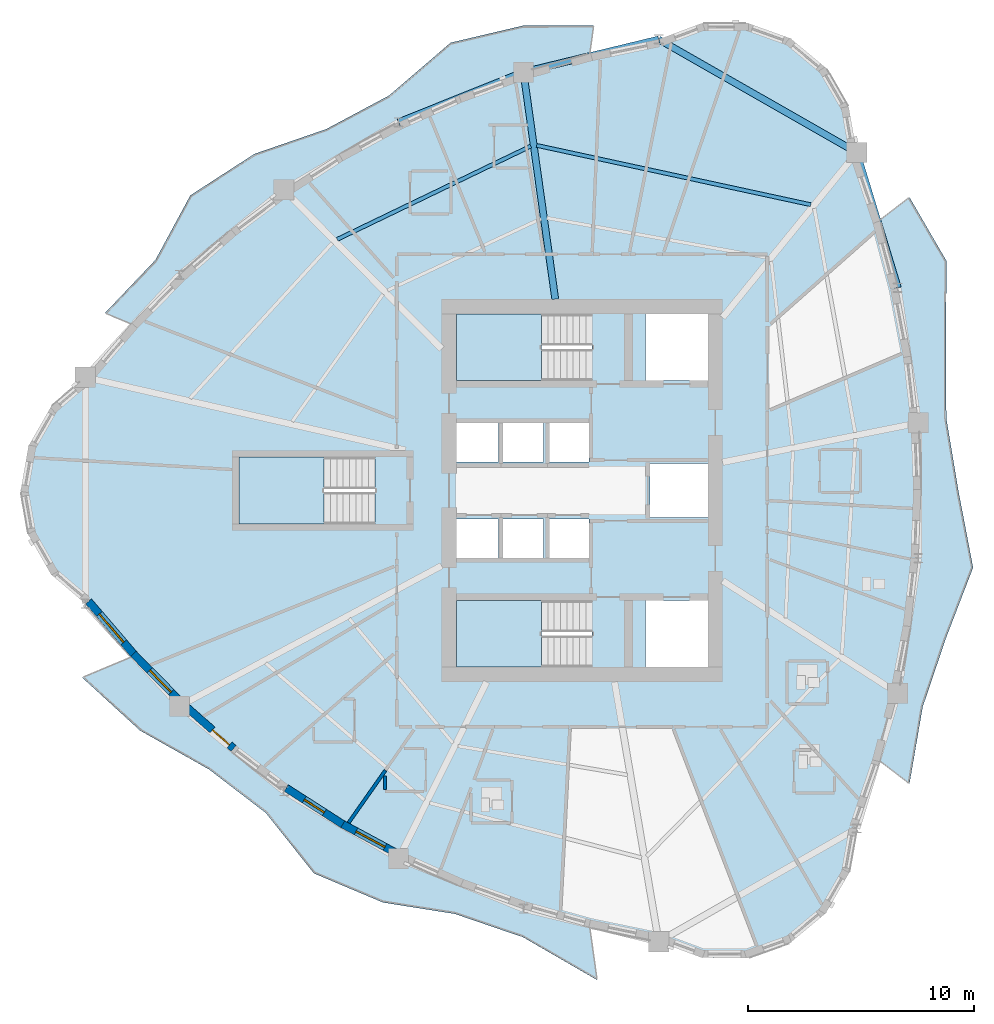
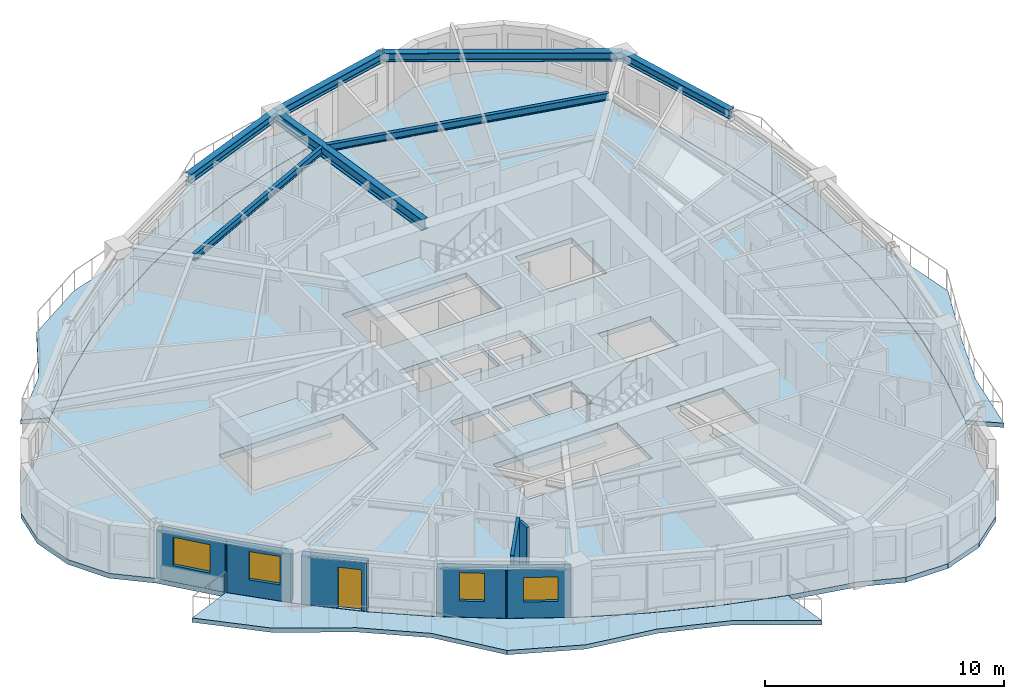
# One storey, part 2 of 13: 7 beams, 7 slabs, 7 walls, 4 windows, 1 door, 5 openings, 3 elements without a shape of their own.
"""IFC4 building model written with IfcOpenShell, lengths in metres."""

from ifc_helpers import new_model, si_unit, direction, frame, frame_2d, origin, origin_2d, place, context, subcontext, project, spatial, polyline, rectangle, i_section, outline, extrude, source, transform, mapped, material, layer, layer_set, material_profile, profile_set, type_object, element, fill, aggregate, save


model = new_model("IFC4")

# Units and contexts
model_context = context("Model", 3, precision=1e-05, world=origin(), true_north=direction((0.0, 1.0)))
body_context = subcontext(model_context, "Body", "Model", "MODEL_VIEW")
ifc_project = project(units=[si_unit("LENGTHUNIT", "METRE"), si_unit("AREAUNIT", "SQUARE_METRE"), si_unit("VOLUMEUNIT", "CUBIC_METRE"), si_unit("PLANEANGLEUNIT", "RADIAN"), si_unit("MASSUNIT", "GRAM", prefix="KILO")], contexts=[model_context])

# Site, building, storey
site_placement = place(None, origin())
site = spatial("IfcSite", under=ifc_project, at=site_placement, CompositionType="ELEMENT")
building_placement = place(site_placement, origin())
building = spatial("IfcBuilding", under=site, at=building_placement, Name="Qafzar Sky-Pleat Residences", CompositionType="ELEMENT")
storey_placement = place(building_placement, frame((0.0, 0.0, 99.199951171875)))
storey = spatial("IfcBuildingStorey", under=building, at=storey_placement, Name="L29", CompositionType="ELEMENT", Elevation=99.199951171875)

# Beams
ifc_material_1 = material(Name="Steel S355", Category="steel")
ifc_material_profile_1 = material_profile(ifc_material_1, i_section(OverallWidth=0.300048828125, OverallDepth=0.449951171875, WebThickness=0.013916015625, FlangeThickness=0.02587890625, FilletRadius=0.027099609375, at=origin_2d()), Name="HEB 450")
ifc_profile_set_1 = profile_set([ifc_material_profile_1], Name="Steel S355")
beam_type_1 = type_object("IfcBeamType", Name="BM-SPAN-HEB450", PredefinedType="SPANDREL", material=ifc_profile_set_1)
shared_shape_1 = source(origin(), body_context, "Body", "SweptSolid", [
    extrude(i_section(OverallWidth=0.300048828125, OverallDepth=0.449951171875, WebThickness=0.013916015625, FlangeThickness=0.02587890625, FilletRadius=0.027099609375, at=origin_2d()), origin(), (0.0, 0.0, 1.0), 5.9443359375),
])
beam_1_placement = place(storey_placement, frame((27.761962890625, 44.473876953125, 2.72314453125), z_axis=(-0.927974486614, -0.372643733604, 0.0), x_axis=(0.372643733604, -0.927974486614, 0.0)))
element("IfcBeam", 1, at=beam_1_placement, inside=storey, type_object=beam_type_1, Name="L29 Perimeter Spandrel Beam 15", PredefinedType="SPANDREL", context=body_context, shape_type="MappedRepresentation", body=[
    mapped(shared_shape_1, transform((0.0, 0.0, 0.0), x_axis=(1.0, 0.0, 0.0), y_axis=(0.0, 1.0, 0.0), z_axis=(0.0, 0.0, 1.0), scale=1.0)),
])
shared_shape_2 = source(origin(), body_context, "Body", "SweptSolid", [
    extrude(i_section(OverallWidth=0.300048828125, OverallDepth=0.449951171875, WebThickness=0.013916015625, FlangeThickness=0.02587890625, FilletRadius=0.027099609375, at=origin_2d()), origin(), (0.0, 0.0, 1.0), 6.142333984375),
])
beam_2_placement = place(storey_placement, frame((33.731689453125, 45.919677734375, 2.72314453125), z_axis=(-0.971902480603, -0.235383874126, 0.0), x_axis=(0.235383874126, -0.971902480603, 0.0)))
element("IfcBeam", 2, at=beam_2_placement, inside=storey, type_object=beam_type_1, Name="L29 Perimeter Spandrel Beam 14", PredefinedType="SPANDREL", context=body_context, shape_type="MappedRepresentation", body=[
    mapped(shared_shape_2, transform((0.0, 0.0, 0.0), x_axis=(1.0, 0.0, 0.0), y_axis=(0.0, 1.0, 0.0), z_axis=(0.0, 0.0, 1.0), scale=1.0)),
])
shared_shape_3 = source(origin(), body_context, "Body", "SweptSolid", [
    extrude(i_section(OverallWidth=0.300048828125, OverallDepth=0.449951171875, WebThickness=0.013916015625, FlangeThickness=0.02587890625, FilletRadius=0.027099609375, at=origin_2d()), origin(), (0.0, 0.0, 1.0), 10.072509765625),
])
beam_3_placement = place(storey_placement, frame((42.4775390625, 40.92333984375, 2.72314453125), z_axis=(-0.868298326114, 0.496042353905, 0.0), x_axis=(-0.496042353905, -0.868298326114, 0.0)))
element("IfcBeam", 3, at=beam_3_placement, inside=storey, type_object=beam_type_1, Name="L29 Perimeter Spandrel Beam 13", PredefinedType="SPANDREL", context=body_context, shape_type="MappedRepresentation", body=[
    mapped(shared_shape_3, transform((0.0, 0.0, 0.0), x_axis=(1.0, 0.0, 0.0), y_axis=(0.0, 1.0, 0.0), z_axis=(0.0, 0.0, 1.0), scale=1.0)),
])
shared_shape_4 = source(origin(), body_context, "Body", "SweptSolid", [
    extrude(i_section(OverallWidth=0.300048828125, OverallDepth=0.449951171875, WebThickness=0.013916015625, FlangeThickness=0.02587890625, FilletRadius=0.027099609375, at=origin_2d()), origin(), (0.0, 0.0, 1.0), 6.239013671875),
])
beam_4_placement = place(storey_placement, frame((44.292236328125, 34.9541015625, 2.72314453125), z_axis=(-0.290864189028, 0.956764351103, 0.0), x_axis=(-0.956764351103, -0.290864189028, 0.0)))
element("IfcBeam", 4, at=beam_4_placement, inside=storey, type_object=beam_type_1, Name="L29 Perimeter Spandrel Beam 12", PredefinedType="SPANDREL", context=body_context, shape_type="MappedRepresentation", body=[
    mapped(shared_shape_4, transform((0.0, 0.0, 0.0), x_axis=(1.0, 0.0, 0.0), y_axis=(0.0, 1.0, 0.0), z_axis=(0.0, 0.0, 1.0), scale=1.0)),
])
ifc_material_profile_2 = material_profile(ifc_material_1, i_section(OverallWidth=0.300048828125, OverallDepth=0.550048828125, WebThickness=0.014892578125, FlangeThickness=0.029052734375, FilletRadius=0.027099609375, at=origin_2d()), Name="HEB 550")
ifc_profile_set_2 = profile_set([ifc_material_profile_2], Name="Steel S355")
beam_type_2 = type_object("IfcBeamType", Name="BM-GIRD-HEB550", PredefinedType="BEAM", material=ifc_profile_set_2)
shared_shape_5 = source(origin(), body_context, "Body", "SweptSolid", [
    extrude(i_section(OverallWidth=0.300048828125, OverallDepth=0.550048828125, WebThickness=0.014892578125, FlangeThickness=0.029052734375, FilletRadius=0.027099609375, at=origin_2d()), origin(), (0.0, 0.0, 1.0), 10.121826171875),
])
beam_5_placement = place(storey_placement, frame((27.761962890625, 44.473876953125, 2.673095703125), z_axis=(0.138739631442, -0.99032889217, 0.0), x_axis=(0.99032889217, 0.138739631442, 0.0)))
element("IfcBeam", 5, at=beam_5_placement, inside=storey, type_object=beam_type_2, Name="L29 Radial Floor Girder 15", PredefinedType="BEAM", context=body_context, shape_type="MappedRepresentation", body=[
    mapped(shared_shape_5, transform((0.0, 0.0, 0.0), x_axis=(1.0, 0.0, 0.0), y_axis=(0.0, 1.0, 0.0), z_axis=(0.0, 0.0, 1.0), scale=1.0)),
])
ifc_material_profile_3 = material_profile(ifc_material_1, i_section(OverallWidth=0.169921875, OverallDepth=0.360107421875, WebThickness=0.008056640625, FlangeThickness=0.0126953125, FilletRadius=0.01806640625, at=origin_2d()), Name="IPE 360")
ifc_profile_set_3 = profile_set([ifc_material_profile_3], Name="Steel S355")
beam_type_3 = type_object("IfcBeamType", Name="BM-JST-IPE360", PredefinedType="JOIST", material=ifc_profile_set_3)
shared_shape_6 = source(origin(), body_context, "Body", "SweptSolid", [
    extrude(i_section(OverallWidth=0.169921875, OverallDepth=0.360107421875, WebThickness=0.008056640625, FlangeThickness=0.0126953125, FilletRadius=0.01806640625, at=origin_2d()), origin(), (0.0, 0.0, 1.0), 12.3857421875),
])
beam_6_placement = place(storey_placement, frame((40.44873046875, 38.617919921875, 2.76806640625), z_axis=(-0.977372880671, 0.211523644371, 0.0), x_axis=(-0.211523644371, -0.977372880671, 0.0)))
element("IfcBeam", 6, at=beam_6_placement, inside=storey, type_object=beam_type_3, Name="L29 Outer Secondary Floor Joist 7", PredefinedType="JOIST", context=body_context, shape_type="MappedRepresentation", body=[
    mapped(shared_shape_6, transform((0.0, 0.0, 0.0), x_axis=(1.0, 0.0, 0.0), y_axis=(0.0, 1.0, 0.0), z_axis=(0.0, 0.0, 1.0), scale=1.0)),
])
shared_shape_7 = source(origin(), body_context, "Body", "SweptSolid", [
    extrude(i_section(OverallWidth=0.169921875, OverallDepth=0.360107421875, WebThickness=0.008056640625, FlangeThickness=0.0126953125, FilletRadius=0.01806640625, at=origin_2d()), origin(), (0.0, 0.0, 1.0), 9.49658203125),
])
beam_7_placement = place(storey_placement, frame((28.089599609375, 41.20751953125, 2.76806640625), z_axis=(-0.900871742124, -0.434085365155, 0.0), x_axis=(0.434085365155, -0.900871742124, 0.0)))
element("IfcBeam", 7, at=beam_7_placement, inside=storey, type_object=beam_type_3, Name="L29 Outer Secondary Floor Joist 8", PredefinedType="JOIST", context=body_context, shape_type="MappedRepresentation", body=[
    mapped(shared_shape_7, transform((0.0, 0.0, 0.0), x_axis=(1.0, 0.0, 0.0), y_axis=(0.0, 1.0, 0.0), z_axis=(0.0, 0.0, 1.0), scale=1.0)),
])

# Slabs
ifc_material_2 = material(Name="Concrete C40/50", Category="concrete")
ifc_layer_1 = layer(ifc_material_2, 0.219970703125)
ifc_layer_set_1 = layer_set([ifc_layer_1], Name="Concrete C40/50")
slab_type_1 = type_object("IfcSlabType", Name="SLAB-BAL-220", PredefinedType="USERDEFINED", material=ifc_layer_set_1)
slab_1_placement = place(storey_placement, frame((0.0, 0.0, -0.219970703125)))
element("IfcSlab", 8, at=slab_1_placement, inside=storey, type_object=slab_type_1, Name="L29 Pleated Stone Balcony 1", ObjectType="BALCONY", PredefinedType="USERDEFINED", context=body_context, shape_type="SweptSolid", body=[
    extrude(outline(polyline([(44.302734375, 17.040283203125), (44.87060546875, 20.026611328125), (45.211181640625, 23.01318359375), (45.324951171875, 26.0), (45.211181640625, 28.98681640625), (44.87060546875, 31.973388671875), (44.302734375, 34.959716796875), (43.5078125, 37.94580078125), (44.805419921875, 38.945556640625), (46.439208984375, 36.134033203125), (46.414794921875, 32.52001953125), (46.43115234375, 29.198486328125), (46.962890625, 26.0), (47.61328125, 22.596435546875), (46.414794921875, 19.47998046875), (45.3876953125, 16.44384765625), (44.805419921875, 13.054443359375), (43.5078125, 14.05419921875), (44.302734375, 17.040283203125)])), origin(), (0.0, 0.0, 1.0), 0.219970703125),
])
slab_2_placement = place(storey_placement, frame((0.0, 0.0, -0.219970703125)))
element("IfcSlab", 9, at=slab_2_placement, inside=storey, type_object=slab_type_1, Name="L29 Pleated Stone Balcony 2", ObjectType="BALCONY", PredefinedType="USERDEFINED", context=body_context, shape_type="SweptSolid", body=[
    extrude(outline(polyline([(27.76171875, 44.48583984375), (24.9453125, 43.474365234375), (22.241943359375, 42.27001953125), (19.652099609375, 40.873046875), (17.17578125, 39.283447265625), (14.813232421875, 37.501220703125), (12.564453125, 35.5263671875), (10.42919921875, 33.35888671875), (9.287353515625, 33.837158203125), (11.510986328125, 36.176513671875), (13.056640625, 39.033203125), (15.888427734375, 40.86328125), (19.046142578125, 41.95263671875), (21.828857421875, 43.437255859375), (24.5439453125, 45.770263671875), (27.735595703125, 46.523681640625), (30.86279296875, 46.531005859375), (30.69189453125, 45.304931640625), (27.76171875, 44.48583984375)])), origin(), (0.0, 0.0, 1.0), 0.219970703125),
])
slab_3_placement = place(storey_placement, frame((0.0, 0.0, -0.219970703125)))
element("IfcSlab", 10, at=slab_3_placement, inside=storey, type_object=slab_type_1, Name="L29 Pleated Stone Balcony 3", ObjectType="BALCONY", PredefinedType="USERDEFINED", context=body_context, shape_type="SweptSolid", body=[
    extrude(outline(polyline([(12.564453125, 16.4736328125), (14.813232421875, 14.498779296875), (17.17578125, 12.716552734375), (19.652099609375, 11.126953125), (22.241943359375, 9.72998046875), (24.9453125, 8.525634765625), (27.76171875, 7.51416015625), (30.69189453125, 6.695068359375), (31.013916015625, 4.38671875), (27.745849609375, 6.276123046875), (24.73193359375, 7.30615234375), (21.56201171875, 7.80859375), (18.51123046875, 9.094482421875), (16.393798828125, 11.7568359375), (13.88037109375, 13.685302734375), (10.830078125, 15.4033203125), (8.279541015625, 17.74072265625), (10.42919921875, 18.64111328125), (12.564453125, 16.4736328125)])), origin(), (0.0, 0.0, 1.0), 0.219970703125),
])
ifc_layer_2 = layer(ifc_material_2, 0.25)
ifc_layer_set_2 = layer_set([ifc_layer_2], Name="Concrete C40/50")
slab_type_2 = type_object("IfcSlabType", Name="SLAB-FLR-250", PredefinedType="FLOOR", material=ifc_layer_set_2)
slab_4_placement = place(storey_placement, frame((0.0, 0.0, -0.25)))
element("IfcSlab", 11, at=slab_4_placement, inside=storey, type_object=slab_type_2, Name="L29 Structural Floor Slab", PredefinedType="FLOOR", context=body_context, shape_type="SweptSolid", body=[
    extrude(outline(polyline([(8.41943359375, 30.996337890625), (6.899658203125, 29.701171875), (5.908935546875, 27.967041015625), (5.565185546875, 26.0), (5.908935546875, 24.032958984375), (6.899658203125, 22.298828125), (8.41943359375, 21.003662109375), (10.4404296875, 18.645751953125), (12.57470703125, 16.47998046875), (14.822265625, 14.5068359375), (17.18359375, 12.725830078125), (19.657958984375, 11.137451171875), (22.245849609375, 9.7412109375), (24.947265625, 8.53759765625), (27.761962890625, 7.526123046875), (30.690185546875, 6.70703125), (33.731689453125, 6.080322265625), (35.626953125, 5.37255859375), (37.64990234375, 5.35888671875), (39.5546875, 6.04052734375), (41.109130859375, 7.3349609375), (42.124755859375, 9.084716796875), (42.4775390625, 11.07666015625), (43.498291015625, 14.061279296875), (44.292236328125, 17.0458984375), (44.859375, 20.03076171875), (45.199462890625, 23.015380859375), (45.31298828125, 26.0), (45.199462890625, 28.984619140625), (44.859375, 31.96923828125), (44.292236328125, 34.9541015625), (43.498291015625, 37.938720703125), (42.4775390625, 40.92333984375), (42.124755859375, 42.915283203125), (41.109130859375, 44.6650390625), (39.5546875, 45.95947265625), (37.64990234375, 46.64111328125), (35.626953125, 46.62744140625), (33.731689453125, 45.919677734375), (30.690185546875, 45.29296875), (27.761962890625, 44.473876953125), (24.947265625, 43.46240234375), (22.245849609375, 42.2587890625), (19.657958984375, 40.862548828125), (17.18359375, 39.274169921875), (14.822265625, 37.4931640625), (12.57470703125, 35.52001953125), (10.4404296875, 33.354248046875), (8.41943359375, 30.996337890625)]), holes=[polyline([(30.797119140625, 21.14990234375), (24.800048828125, 21.14990234375), (24.800048828125, 18.199951171875), (30.797119140625, 18.199951171875), (30.797119140625, 21.14990234375)]), polyline([(30.797119140625, 33.800048828125), (24.800048828125, 33.800048828125), (24.800048828125, 30.85009765625), (30.797119140625, 30.85009765625), (30.797119140625, 33.800048828125)]), polyline([(21.197021484375, 27.47509765625), (15.199951171875, 27.47509765625), (15.199951171875, 24.52490234375), (21.197021484375, 24.52490234375), (21.197021484375, 27.47509765625)]), polyline([(24.800048828125, 22.949951171875), (26.64990234375, 22.949951171875), (26.64990234375, 24.75), (24.800048828125, 24.75), (24.800048828125, 22.949951171875)]), polyline([(26.800048828125, 22.949951171875), (28.64990234375, 22.949951171875), (28.64990234375, 24.75), (26.800048828125, 24.75), (26.800048828125, 22.949951171875)]), polyline([(28.800048828125, 22.949951171875), (30.64990234375, 22.949951171875), (30.64990234375, 24.75), (28.800048828125, 24.75), (28.800048828125, 22.949951171875)]), polyline([(24.800048828125, 27.25), (26.64990234375, 27.25), (26.64990234375, 29.050048828125), (24.800048828125, 29.050048828125), (24.800048828125, 27.25)]), polyline([(26.800048828125, 27.25), (28.64990234375, 27.25), (28.64990234375, 29.050048828125), (26.800048828125, 29.050048828125), (26.800048828125, 27.25)]), polyline([(28.800048828125, 27.25), (30.64990234375, 27.25), (30.64990234375, 29.050048828125), (28.800048828125, 29.050048828125), (28.800048828125, 27.25)]), polyline([(33.14990234375, 18.199951171875), (35.89990234375, 18.199951171875), (35.89990234375, 21.14990234375), (33.14990234375, 21.14990234375), (33.14990234375, 18.199951171875)]), polyline([(33.14990234375, 30.85009765625), (35.89990234375, 30.85009765625), (35.89990234375, 33.800048828125), (33.14990234375, 33.800048828125), (33.14990234375, 30.85009765625)]), polyline([(33.35009765625, 24.800048828125), (35.89990234375, 24.800048828125), (35.89990234375, 27.199951171875), (33.35009765625, 27.199951171875), (33.35009765625, 24.800048828125)])]), origin(), (0.0, 0.0, 1.0), 0.25),
])

# Stair, slab
stair_type = type_object("IfcStairType", Name="STAIR-H320", PredefinedType="HALF_TURN_STAIR", material=ifc_material_2)
stair_1_placement = place(storey_placement, origin())
stair_1 = element("IfcStair", 12, at=stair_1_placement, inside=storey, type_object=stair_type, Name="L29 Protected Exit Stair ST1", PredefinedType="HALF_TURN_STAIR")
ifc_layer_3 = layer(ifc_material_2, 0.199951171875)
ifc_layer_set_3 = layer_set([ifc_layer_3], Name="Concrete C40/50")
slab_type_3 = type_object("IfcSlabType", Name="SLAB-LANDING-200", PredefinedType="LANDING", material=ifc_layer_set_3)
slab_5_placement = place(storey_placement, frame((0.0, 0.0, 1.400146484375)))
slab_5 = element("IfcSlab", 13, at=slab_5_placement, type_object=slab_type_3, Name="ST1 landing 1", PredefinedType="LANDING", context=body_context, shape_type="SweptSolid", body=[
    extrude(outline(polyline([(28.56005859375, 21.14990234375), (24.800048828125, 21.14990234375), (24.800048828125, 18.199951171875), (28.56005859375, 18.199951171875), (28.56005859375, 21.14990234375)])), origin(), (0.0, 0.0, 1.0), 0.199951171875),
])
aggregate(stair_1, [slab_5])

stair_2_placement = place(storey_placement, origin())
stair_2 = element("IfcStair", 14, at=stair_2_placement, inside=storey, type_object=stair_type, Name="L29 Protected Exit Stair ST2", PredefinedType="HALF_TURN_STAIR")
slab_6_placement = place(storey_placement, frame((0.0, 0.0, 1.400146484375)))
slab_6 = element("IfcSlab", 15, at=slab_6_placement, type_object=slab_type_3, Name="ST2 landing 1", PredefinedType="LANDING", context=body_context, shape_type="SweptSolid", body=[
    extrude(outline(polyline([(28.56005859375, 33.800048828125), (24.800048828125, 33.800048828125), (24.800048828125, 30.85009765625), (28.56005859375, 30.85009765625), (28.56005859375, 33.800048828125)])), origin(), (0.0, 0.0, 1.0), 0.199951171875),
])
aggregate(stair_2, [slab_6])

stair_3_placement = place(storey_placement, origin())
stair_3 = element("IfcStair", 16, at=stair_3_placement, inside=storey, type_object=stair_type, Name="L29 Protected Exit Stair ST3", PredefinedType="HALF_TURN_STAIR")
slab_7_placement = place(storey_placement, frame((0.0, 0.0, 1.400146484375)))
slab_7 = element("IfcSlab", 17, at=slab_7_placement, type_object=slab_type_3, Name="ST3 landing 1", PredefinedType="LANDING", context=body_context, shape_type="SweptSolid", body=[
    extrude(outline(polyline([(18.9599609375, 27.47509765625), (15.199951171875, 27.47509765625), (15.199951171875, 24.52490234375), (18.9599609375, 24.52490234375), (18.9599609375, 27.47509765625)])), origin(), (0.0, 0.0, 1.0), 0.199951171875),
])
aggregate(stair_3, [slab_7])

# Walls
ifc_material_3 = material(Name="Acoustic gypsum plasterboard partition", Category="gypsum")
ifc_layer_4 = layer(ifc_material_3, 0.14501953125)
ifc_layer_set_4 = layer_set([ifc_layer_4], Name="Acoustic gypsum plasterboard partition")
wall_type_1 = type_object("IfcWallType", Name="PART-UNIT-145", PredefinedType="PARTITIONING", material=ifc_layer_set_4)
wall_1_placement = place(storey_placement, frame((20.04443359375, 11.333984375, 0.0), z_axis=(0.0, 0.0, 1.0), x_axis=(0.575027113175, 0.818134352728, 0.0)))
element("IfcWall", 18, at=wall_1_placement, inside=storey, type_object=wall_type_1, Name="L29 Partition Wall PART-L29-PW-054", PredefinedType="PARTITIONING", context=body_context, shape_type="SweptSolid", body=[
    extrude(rectangle(XDim=2.81494140625, YDim=0.14501953125, at=frame_2d((1.407470703125, 0.0))), origin(), (0.0, 0.0, 1.0), 2.949951171875),
])
ifc_material_4 = material(Name="Moisture-resistant gypsum partition", Category="gypsum")
ifc_layer_5 = layer(ifc_material_4, 0.1298828125)
ifc_layer_set_5 = layer_set([ifc_layer_5], Name="Moisture-resistant gypsum partition")
wall_type_2 = type_object("IfcWallType", Name="PART-WET-130", PredefinedType="PARTITIONING", material=ifc_layer_set_5)
wall_2_placement = place(storey_placement, frame((21.64794921875, 12.7890625, 0.0), z_axis=(0.0, 0.0, 1.0), x_axis=(0.0, 1.0, 0.0)))
element("IfcWall", 19, at=wall_2_placement, inside=storey, type_object=wall_type_2, Name="L29 Partition Wall PART-L29-PW-085", PredefinedType="PARTITIONING", context=body_context, shape_type="SweptSolid", body=[
    extrude(rectangle(XDim=0.600341796875, YDim=0.1298828125, at=frame_2d((0.30029296875, 0.0))), origin(), (0.0, 0.0, 1.0), 2.949951171875),
])

# Wall, opening, window
ifc_material_5 = material(Name="Precast concrete C40/50 with honed Riyadh limestone", Category="concrete")
ifc_layer_6 = layer(ifc_material_5, 0.340087890625)
ifc_layer_set_6 = layer_set([ifc_layer_6], Name="Precast concrete C40/50 with honed Riyadh limestone")
wall_type_3 = type_object("IfcWallType", Name="WALL-EXT-340", PredefinedType="SOLIDWALL", material=ifc_layer_set_6)
wall_3_placement = place(storey_placement, frame((8.5615234375, 21.09912109375, 0.0), z_axis=(0.0, 0.0, 1.0), x_axis=(0.650778499588, -0.75926763692, 0.0)))
wall_3 = element("IfcWall", 20, at=wall_3_placement, inside=storey, type_object=wall_type_3, Name="L29 Limestone Facade Wall 7", PredefinedType="SOLIDWALL", context=body_context, shape_type="SweptSolid", body=[
    extrude(rectangle(XDim=3.12353515625, YDim=0.340087890625, at=frame_2d((1.561767578125, 0.0))), origin(), (0.0, 0.0, 1.0), 2.47998046875),
])
opening_1_placement = place(wall_3_placement, frame((0.726806640625, 0.0, 0.820068359375)))
opening_1 = element("IfcOpeningElement", 21, at=opening_1_placement, cuts=wall_3, Name="Opening WN-02", PredefinedType="OPENING", context=body_context, shape_type="SweptSolid", body=[
    extrude(rectangle(XDim=1.64990234375, YDim=1.449951171875, at=frame_2d((0.824951171875, 0.72509765625))), frame((0.0, 0.18017578125, 0.0), z_axis=(0.0, -1.0, 0.0), x_axis=(1.0, 0.0, 0.0)), (0.0, 0.0, 1.0), 0.360107421875),
])
ifc_material_6 = material(Name="Solar-control low-E glass in bronze aluminium frame", Category="glass")
window_type_1 = type_object("IfcWindowType", Name="WIN-02", PartitioningType="DOUBLE_PANEL_VERTICAL", PredefinedType="WINDOW", material=ifc_material_6)
shared_shape_8 = source(origin(), body_context, "Body", "SweptSolid", [
    extrude(rectangle(XDim=1.64990234375, YDim=1.449951171875, at=frame_2d((0.824951171875, 0.72509765625))), frame((0.0, 0.030029296875, 0.0), z_axis=(0.0, -1.0, 0.0), x_axis=(1.0, 0.0, 0.0)), (0.0, 0.0, 1.0), 0.06005859375),
])
window_1_placement = place(opening_1_placement, origin())
window_1 = element("IfcWindow", 22, at=window_1_placement, inside=storey, type_object=window_type_1, Name="L29 Punched Facade Window 07", OverallHeight=1.449951171875, OverallWidth=1.64990234375, PartitioningType="SINGLE_PANEL", PredefinedType="WINDOW", context=body_context, shape_type="MappedRepresentation", body=[
    mapped(shared_shape_8, transform((0.0, 0.0, 0.0), x_axis=(1.0, 0.0, 0.0), y_axis=(0.0, 1.0, 0.0), z_axis=(0.0, 0.0, 1.0), scale=1.0)),
])
fill(opening_1, window_1)

wall_4_placement = place(storey_placement, frame((10.534912109375, 18.7919921875, 0.0), z_axis=(0.0, 0.0, 1.0), x_axis=(0.701902141766, -0.7122733909, 0.0)))
wall_4 = element("IfcWall", 23, at=wall_4_placement, inside=storey, type_object=wall_type_3, Name="L29 Limestone Facade Wall 8", PredefinedType="SOLIDWALL", context=body_context, shape_type="SweptSolid", body=[
    extrude(rectangle(XDim=2.848388671875, YDim=0.340087890625, at=frame_2d((1.42431640625, 0.0))), origin(), (0.0, 0.0, 1.0), 2.47998046875),
])
opening_2_placement = place(wall_4_placement, frame((1.029052734375, 0.0, 0.820068359375)))
opening_2 = element("IfcOpeningElement", 24, at=opening_2_placement, cuts=wall_4, Name="Opening WN-04", PredefinedType="OPENING", context=body_context, shape_type="SweptSolid", body=[
    extrude(rectangle(XDim=1.35009765625, YDim=1.449951171875, at=frame_2d((0.675048828125, 0.72509765625))), frame((0.0, 0.18017578125, 0.0), z_axis=(0.0, -1.0, 0.0), x_axis=(1.0, 0.0, 0.0)), (0.0, 0.0, 1.0), 0.360107421875),
])
window_type_2 = type_object("IfcWindowType", Name="WIN-04", PartitioningType="SINGLE_PANEL", PredefinedType="WINDOW", material=ifc_material_6)
shared_shape_9 = source(origin(), body_context, "Body", "SweptSolid", [
    extrude(rectangle(XDim=1.35009765625, YDim=1.449951171875, at=frame_2d((0.675048828125, 0.72509765625))), frame((0.0, 0.030029296875, 0.0), z_axis=(0.0, -1.0, 0.0), x_axis=(1.0, 0.0, 0.0)), (0.0, 0.0, 1.0), 0.06005859375),
])
window_2_placement = place(opening_2_placement, origin())
window_2 = element("IfcWindow", 25, at=window_2_placement, inside=storey, type_object=window_type_2, Name="L29 Punched Facade Window 08-2", OverallHeight=1.449951171875, OverallWidth=1.35009765625, PartitioningType="SINGLE_PANEL", PredefinedType="WINDOW", context=body_context, shape_type="MappedRepresentation", body=[
    mapped(shared_shape_9, transform((0.0, 0.0, 0.0), x_axis=(1.0, 0.0, 0.0), y_axis=(0.0, 1.0, 0.0), z_axis=(0.0, 0.0, 1.0), scale=1.0)),
])
fill(opening_2, window_2)

# Wall, opening, door
wall_5_placement = place(storey_placement, frame((12.859619140625, 16.4560546875, 0.0), z_axis=(0.0, 0.0, 1.0), x_axis=(0.751500349331, -0.659732692047, 0.0)))
wall_5 = element("IfcWall", 26, at=wall_5_placement, inside=storey, type_object=wall_type_3, Name="L29 Limestone Facade Wall 9", PredefinedType="SOLIDWALL", context=body_context, shape_type="SweptSolid", body=[
    extrude(rectangle(XDim=2.798828125, YDim=0.340087890625, at=frame_2d((1.3994140625, 0.0))), origin(), (0.0, 0.0, 1.0), 2.47998046875),
])
opening_3_placement = place(wall_5_placement, frame((1.558837890625, 0.0, 0.0)))
opening_3 = element("IfcOpeningElement", 27, at=opening_3_placement, cuts=wall_5, Name="Opening ED-05", PredefinedType="OPENING", context=body_context, shape_type="SweptSolid", body=[
    extrude(rectangle(XDim=1.0, YDim=2.10009765625, at=frame_2d((0.5, 1.050048828125))), frame((0.0, 0.18017578125, 0.0), z_axis=(0.0, -1.0, 0.0), x_axis=(1.0, 0.0, 0.0)), (0.0, 0.0, 1.0), 0.360107421875),
])
ifc_material_7 = material(Name="Glazed bronze aluminium door", Category="aluminium")
door_type = type_object("IfcDoorType", Name="DR-BAL-1000", OperationType="NOTDEFINED", PredefinedType="DOOR", material=ifc_material_7)
shared_shape_10 = source(origin(), body_context, "Body", "SweptSolid", [
    extrude(rectangle(XDim=1.0, YDim=2.10009765625, at=frame_2d((0.5, 1.050048828125))), frame((0.0, 0.02490234375, 0.0), z_axis=(0.0, -1.0, 0.0), x_axis=(1.0, 0.0, 0.0)), (0.0, 0.0, 1.0), 0.050048828125),
])
door_placement = place(opening_3_placement, origin())
door = element("IfcDoor", 28, at=door_placement, inside=storey, type_object=door_type, Name="L29 Glazed Balcony Door 3", OperationType="SINGLE_SWING_LEFT", OverallHeight=2.10009765625, OverallWidth=1.0, PredefinedType="DOOR", context=body_context, shape_type="MappedRepresentation", body=[
    mapped(shared_shape_10, transform((0.0, 0.0, 0.0), x_axis=(1.0, 0.0, 0.0), y_axis=(0.0, 1.0, 0.0), z_axis=(0.0, 0.0, 1.0), scale=1.0)),
])
fill(opening_3, door)

# Wall, opening, window
wall_6_placement = place(storey_placement, frame((17.292236328125, 12.858154296875, 0.0), z_axis=(0.0, 0.0, 1.0), x_axis=(0.841524200167, -0.540219418878, 0.0)))
wall_6 = element("IfcWall", 29, at=wall_6_placement, inside=storey, type_object=wall_type_3, Name="L29 Limestone Facade Wall 11", PredefinedType="SOLIDWALL", context=body_context, shape_type="SweptSolid", body=[
    extrude(rectangle(XDim=2.958251953125, YDim=0.340087890625, at=frame_2d((1.47900390625, 0.0))), origin(), (0.0, 0.0, 1.0), 2.47998046875),
])
opening_4_placement = place(wall_6_placement, frame((0.944091796875, 0.0, 0.820068359375)))
opening_4 = element("IfcOpeningElement", 30, at=opening_4_placement, cuts=wall_6, Name="Opening WN-06", PredefinedType="OPENING", context=body_context, shape_type="SweptSolid", body=[
    extrude(rectangle(XDim=1.050048828125, YDim=1.449951171875, at=frame_2d((0.52490234375, 0.72509765625))), frame((0.0, 0.18017578125, 0.0), z_axis=(0.0, -1.0, 0.0), x_axis=(1.0, 0.0, 0.0)), (0.0, 0.0, 1.0), 0.360107421875),
])
window_type_3 = type_object("IfcWindowType", Name="WIN-06", PartitioningType="SINGLE_PANEL", PredefinedType="WINDOW", material=ifc_material_6)
shared_shape_11 = source(origin(), body_context, "Body", "SweptSolid", [
    extrude(rectangle(XDim=1.050048828125, YDim=1.449951171875, at=frame_2d((0.52490234375, 0.72509765625))), frame((0.0, 0.030029296875, 0.0), z_axis=(0.0, -1.0, 0.0), x_axis=(1.0, 0.0, 0.0)), (0.0, 0.0, 1.0), 0.06005859375),
])
window_3_placement = place(opening_4_placement, origin())
window_3 = element("IfcWindow", 31, at=window_3_placement, inside=storey, type_object=window_type_3, Name="L29 Punched Facade Window 11", OverallHeight=1.449951171875, OverallWidth=1.050048828125, PartitioningType="SINGLE_PANEL", PredefinedType="WINDOW", context=body_context, shape_type="MappedRepresentation", body=[
    mapped(shared_shape_11, transform((0.0, 0.0, 0.0), x_axis=(1.0, 0.0, 0.0), y_axis=(0.0, 1.0, 0.0), z_axis=(0.0, 0.0, 1.0), scale=1.0)),
])
fill(opening_4, window_3)

wall_7_placement = place(storey_placement, frame((19.705322265625, 11.30517578125, 0.0), z_axis=(0.0, 0.0, 1.0), x_axis=(0.880065774925, -0.474851799834, 0.0)))
wall_7 = element("IfcWall", 32, at=wall_7_placement, inside=storey, type_object=wall_type_3, Name="L29 Limestone Facade Wall 12", PredefinedType="SOLIDWALL", context=body_context, shape_type="SweptSolid", body=[
    extrude(rectangle(XDim=2.74853515625, YDim=0.340087890625, at=frame_2d((1.374267578125, 0.0))), origin(), (0.0, 0.0, 1.0), 2.47998046875),
])
opening_5_placement = place(wall_7_placement, frame((0.755126953125, 0.0, 0.820068359375)))
opening_5 = element("IfcOpeningElement", 33, at=opening_5_placement, cuts=wall_7, Name="Opening WN-15", PredefinedType="OPENING", context=body_context, shape_type="SweptSolid", body=[
    extrude(rectangle(XDim=1.449951171875, YDim=1.25, at=frame_2d((0.72509765625, 0.625))), frame((0.0, 0.18017578125, 0.0), z_axis=(0.0, -1.0, 0.0), x_axis=(1.0, 0.0, 0.0)), (0.0, 0.0, 1.0), 0.360107421875),
])
window_type_4 = type_object("IfcWindowType", Name="WIN-15", PartitioningType="SINGLE_PANEL", PredefinedType="WINDOW", material=ifc_material_6)
shared_shape_12 = source(origin(), body_context, "Body", "SweptSolid", [
    extrude(rectangle(XDim=1.449951171875, YDim=1.25, at=frame_2d((0.72509765625, 0.625))), frame((0.0, 0.030029296875, 0.0), z_axis=(0.0, -1.0, 0.0), x_axis=(1.0, 0.0, 0.0)), (0.0, 0.0, 1.0), 0.06005859375),
])
window_4_placement = place(opening_5_placement, origin())
window_4 = element("IfcWindow", 34, at=window_4_placement, inside=storey, type_object=window_type_4, Name="L29 Punched Facade Window 12", OverallHeight=1.25, OverallWidth=1.449951171875, PartitioningType="SINGLE_PANEL", PredefinedType="WINDOW", context=body_context, shape_type="MappedRepresentation", body=[
    mapped(shared_shape_12, transform((0.0, 0.0, 0.0), x_axis=(1.0, 0.0, 0.0), y_axis=(0.0, 1.0, 0.0), z_axis=(0.0, 0.0, 1.0), scale=1.0)),
])
fill(opening_5, window_4)

save(model, "model.ifc")
